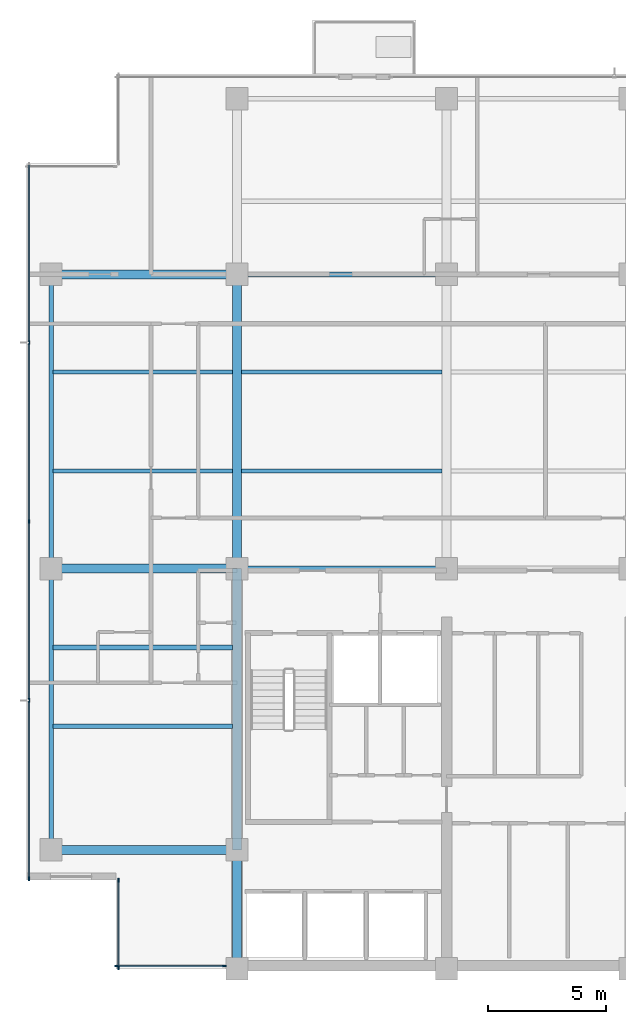
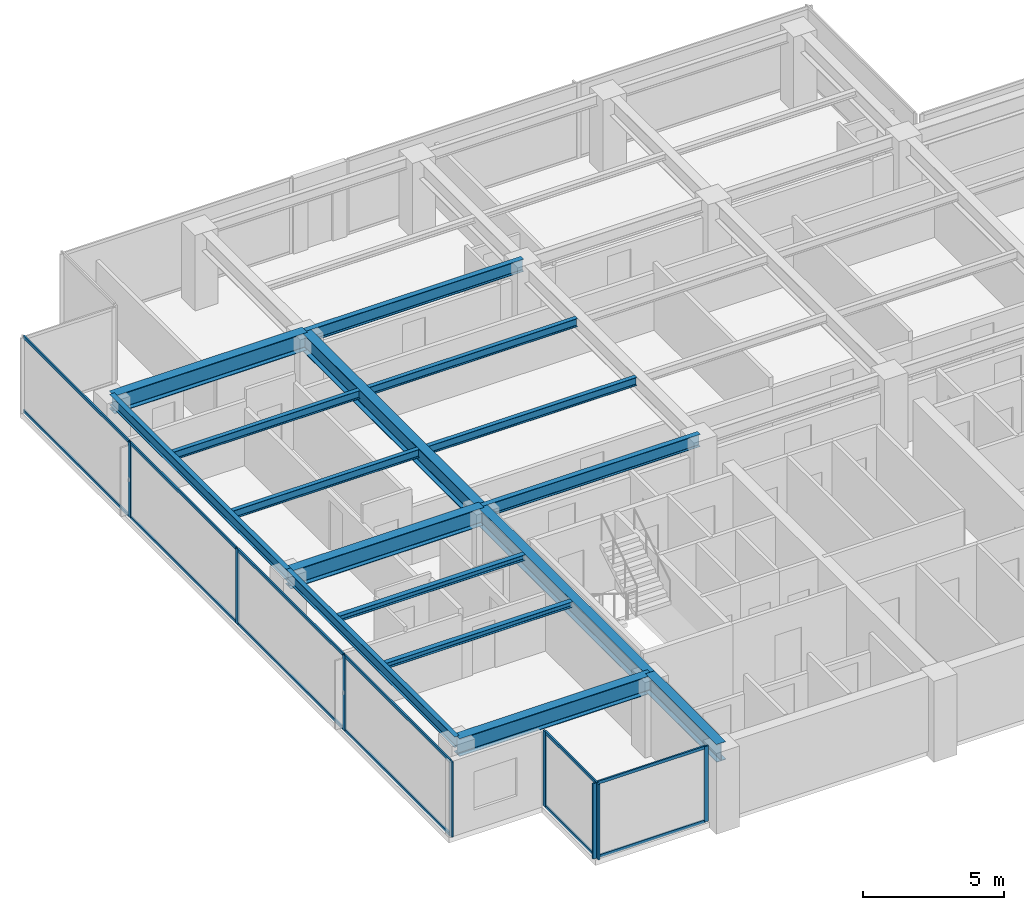
# One storey, part 2 of 14: 20 members, 16 beams, 3 elements without a shape of their own.
"""IFC4 building model written with IfcOpenShell, lengths in metres."""

from ifc_helpers import new_model, si_unit, direction, frame, origin, origin_2d, place, context, subcontext, project, spatial, rectangle, i_section, extrude, material, layer, layer_set, material_profile, profile_set, type_object, element, aggregate, save


model = new_model("IFC4")

# Units and contexts
model_context = context("Model", 3, precision=1e-05, world=origin(), true_north=direction((0.0, 1.0)))
body_context = subcontext(model_context, "Body", "Model", "MODEL_VIEW")
ifc_project = project(units=[si_unit("LENGTHUNIT", "METRE"), si_unit("AREAUNIT", "SQUARE_METRE"), si_unit("VOLUMEUNIT", "CUBIC_METRE"), si_unit("PLANEANGLEUNIT", "RADIAN"), si_unit("MASSUNIT", "GRAM", prefix="KILO")], contexts=[model_context])

# Site, building, storey
site_placement = place(None, origin())
site = spatial("IfcSite", under=ifc_project, at=site_placement, CompositionType="ELEMENT")
building_placement = place(site_placement, origin())
building = spatial("IfcBuilding", under=site, at=building_placement, Name="Qalmaran Belvedere Hotel", CompositionType="ELEMENT")
storey_placement = place(building_placement, frame((0.0, 0.0, 224.89990234375)))
storey = spatial("IfcBuildingStorey", under=building, at=storey_placement, Name="L57", CompositionType="ELEMENT", Elevation=224.89990234375)

# Beams
ifc_material_1 = material(Name="Steel S355JR", Category="steel")
ifc_material_profile_1 = material_profile(ifc_material_1, i_section(OverallWidth=0.201904296875, OverallDepth=0.2470703125, WebThickness=0.00732421875, FlangeThickness=0.010986328125, FilletRadius=0.011962890625, at=origin_2d()), Name="W250X49")
ifc_profile_set_1 = profile_set([ifc_material_profile_1], Name="Steel S355JR")
beam_type_1 = type_object("IfcBeamType", Name="BM-JST-W250X49", PredefinedType="JOIST", material=ifc_profile_set_1)
for number, where, z_axis, x_axis, name in (
    (1, (12.493896484375, 13.800048828125, 3.13671875), (1.0, 0.0, 0.0), (0.0, 1.0, 0.0), "L57 West Wing Joist 038"),
    (2, (12.493896484375, 17.14990234375, 3.13671875), (1.0, 0.0, 0.0), (0.0, 1.0, 0.0), "L57 West Wing Joist 040"),
):
    element("IfcBeam", number, at=place(storey_placement, frame(where, z_axis=z_axis, x_axis=x_axis)), inside=storey, type_object=beam_type_1, Name=name, PredefinedType="JOIST", context=body_context, shape_type="SweptSolid", body=[
        extrude(i_section(OverallWidth=0.201904296875, OverallDepth=0.2470703125, WebThickness=0.00732421875, FlangeThickness=0.010986328125, FilletRadius=0.011962890625, at=origin_2d()), origin(), (0.0, 0.0, 1.0), 7.61767578125),
    ])
ifc_material_profile_2 = material_profile(ifc_material_1, i_section(OverallWidth=0.381103515625, OverallDepth=0.77294921875, WebThickness=0.0166015625, FlangeThickness=0.027099609375, FilletRadius=0.02197265625, at=origin_2d()), Name="W760X257")
ifc_profile_set_2 = profile_set([ifc_material_profile_2], Name="Steel S355JR")
beam_type_2 = type_object("IfcBeamType", Name="BM-PG4-W760X257", PredefinedType="USERDEFINED", material=ifc_profile_set_2)
beam_1_placement = place(storey_placement, frame((20.300048828125, 20.5, 2.87353515625), z_axis=(0.0, 1.0, 0.0), x_axis=(-1.0, 0.0, 0.0)))
element("IfcBeam", 3, at=beam_1_placement, inside=storey, type_object=beam_type_2, Name="L57 Mid-Plate N-S Girder 14", ObjectType="GIRDER", PredefinedType="USERDEFINED", context=body_context, shape_type="SweptSolid", body=[
    extrude(i_section(OverallWidth=0.381103515625, OverallDepth=0.77294921875, WebThickness=0.0166015625, FlangeThickness=0.027099609375, FilletRadius=0.02197265625, at=origin_2d()), origin(), (0.0, 0.0, 1.0), 12.5),
])
for number, where, z_axis, x_axis, name in (
    (4, (12.39990234375, 8.550048828125, 2.87353515625), (1.0, 0.0, 0.0), (0.0, 1.0, 0.0), "L57 West Wing Girder 22"),
    (5, (12.39990234375, 20.5, 2.87353515625), (1.0, 0.0, 0.0), (0.0, 1.0, 0.0), "L57 West Wing Girder 23"),
    (6, (12.39990234375, 33.0, 2.87353515625), (1.0, 0.0, 0.0), (0.0, 1.0, 0.0), "L57 West Wing Girder 24"),
):
    element("IfcBeam", number, at=place(storey_placement, frame(where, z_axis=z_axis, x_axis=x_axis)), inside=storey, type_object=beam_type_2, Name=name, ObjectType="GIRDER", PredefinedType="USERDEFINED", context=body_context, shape_type="SweptSolid", body=[
        extrude(i_section(OverallWidth=0.381103515625, OverallDepth=0.77294921875, WebThickness=0.0166015625, FlangeThickness=0.027099609375, FilletRadius=0.02197265625, at=origin_2d()), origin(), (0.0, 0.0, 1.0), 7.900146484375),
    ])
beam_2_placement = place(storey_placement, frame((20.300048828125, 3.5, 2.87353515625), z_axis=(0.0, 1.0, 0.0), x_axis=(-1.0, 0.0, 0.0)))
element("IfcBeam", 7, at=beam_2_placement, inside=storey, type_object=beam_type_2, Name="L57 West Core Edge Girder A", ObjectType="GIRDER", PredefinedType="USERDEFINED", context=body_context, shape_type="SweptSolid", body=[
    extrude(i_section(OverallWidth=0.381103515625, OverallDepth=0.77294921875, WebThickness=0.0166015625, FlangeThickness=0.027099609375, FilletRadius=0.02197265625, at=origin_2d()), origin(), (0.0, 0.0, 1.0), 5.050048828125),
])
beam_3_placement = place(storey_placement, frame((20.300048828125, 8.550048828125, 2.87353515625), z_axis=(0.0, 1.0, 0.0), x_axis=(-1.0, 0.0, 0.0)))
element("IfcBeam", 8, at=beam_3_placement, inside=storey, type_object=beam_type_2, Name="L57 West Core Edge Girder B", ObjectType="GIRDER", PredefinedType="USERDEFINED", context=body_context, shape_type="SweptSolid", body=[
    extrude(i_section(OverallWidth=0.381103515625, OverallDepth=0.77294921875, WebThickness=0.0166015625, FlangeThickness=0.027099609375, FilletRadius=0.02197265625, at=origin_2d()), origin(), (0.0, 0.0, 1.0), 11.949951171875),
])
ifc_material_profile_3 = material_profile(ifc_material_1, i_section(OverallWidth=0.172119140625, OverallDepth=0.35791015625, WebThickness=0.0078125, FlangeThickness=0.01318359375, FilletRadius=0.014892578125, at=origin_2d()), Name="W360X57")
ifc_profile_set_3 = profile_set([ifc_material_profile_3], Name="Steel S355JR")
beam_type_3 = type_object("IfcBeamType", Name="BM-SB4-W360X57", PredefinedType="BEAM", material=ifc_profile_set_3)
beam_4_placement = place(storey_placement, frame((12.493896484375, 24.64990234375, 3.0810546875), z_axis=(1.0, 0.0, 0.0), x_axis=(0.0, 1.0, 0.0)))
element("IfcBeam", 9, at=beam_4_placement, inside=storey, type_object=beam_type_3, Name="L57 West Secondary Beam 028", PredefinedType="BEAM", context=body_context, shape_type="SweptSolid", body=[
    extrude(i_section(OverallWidth=0.172119140625, OverallDepth=0.35791015625, WebThickness=0.0078125, FlangeThickness=0.01318359375, FilletRadius=0.014892578125, at=origin_2d()), origin(), (0.0, 0.0, 1.0), 7.61767578125),
])
beam_5_placement = place(storey_placement, frame((20.488525390625, 24.64990234375, 3.0810546875), z_axis=(1.0, 0.0, 0.0), x_axis=(0.0, 1.0, 0.0)))
element("IfcBeam", 10, at=beam_5_placement, inside=storey, type_object=beam_type_3, Name="L57 Secondary Floor Beam 029", PredefinedType="BEAM", context=body_context, shape_type="SweptSolid", body=[
    extrude(i_section(OverallWidth=0.172119140625, OverallDepth=0.35791015625, WebThickness=0.0078125, FlangeThickness=0.01318359375, FilletRadius=0.014892578125, at=origin_2d()), origin(), (0.0, 0.0, 1.0), 8.52294921875),
])
beam_6_placement = place(storey_placement, frame((12.493896484375, 28.85009765625, 3.0810546875), z_axis=(1.0, 0.0, 0.0), x_axis=(0.0, 1.0, 0.0)))
element("IfcBeam", 11, at=beam_6_placement, inside=storey, type_object=beam_type_3, Name="L57 West Secondary Beam 033", PredefinedType="BEAM", context=body_context, shape_type="SweptSolid", body=[
    extrude(i_section(OverallWidth=0.172119140625, OverallDepth=0.35791015625, WebThickness=0.0078125, FlangeThickness=0.01318359375, FilletRadius=0.014892578125, at=origin_2d()), origin(), (0.0, 0.0, 1.0), 7.61767578125),
])
beam_7_placement = place(storey_placement, frame((20.488525390625, 28.85009765625, 3.0810546875), z_axis=(1.0, 0.0, 0.0), x_axis=(0.0, 1.0, 0.0)))
element("IfcBeam", 12, at=beam_7_placement, inside=storey, type_object=beam_type_3, Name="L57 Secondary Floor Beam 034", PredefinedType="BEAM", context=body_context, shape_type="SweptSolid", body=[
    extrude(i_section(OverallWidth=0.172119140625, OverallDepth=0.35791015625, WebThickness=0.0078125, FlangeThickness=0.01318359375, FilletRadius=0.014892578125, at=origin_2d()), origin(), (0.0, 0.0, 1.0), 8.52294921875),
])
ifc_material_profile_4 = material_profile(ifc_material_1, i_section(OverallWidth=0.19189453125, OverallDepth=0.462890625, WebThickness=0.010498046875, FlangeThickness=0.017578125, FilletRadius=0.01611328125, at=origin_2d()), Name="W460X89")
ifc_profile_set_4 = profile_set([ifc_material_profile_4], Name="Steel S355JR")
beam_type_4 = type_object("IfcBeamType", Name="BM-SP2-W460X89", PredefinedType="SPANDREL", material=ifc_profile_set_4)
beam_8_placement = place(storey_placement, frame((12.39990234375, 8.550048828125, 3.028564453125), z_axis=(0.0, 1.0, 0.0), x_axis=(-1.0, 0.0, 0.0)))
element("IfcBeam", 13, at=beam_8_placement, inside=storey, type_object=beam_type_4, Name="L57 Perimeter Spandrel 01", PredefinedType="SPANDREL", context=body_context, shape_type="SweptSolid", body=[
    extrude(i_section(OverallWidth=0.19189453125, OverallDepth=0.462890625, WebThickness=0.010498046875, FlangeThickness=0.017578125, FilletRadius=0.01611328125, at=origin_2d()), origin(), (0.0, 0.0, 1.0), 11.949951171875),
])
beam_9_placement = place(storey_placement, frame((12.39990234375, 20.5, 3.028564453125), z_axis=(0.0, 1.0, 0.0), x_axis=(-1.0, 0.0, 0.0)))
element("IfcBeam", 14, at=beam_9_placement, inside=storey, type_object=beam_type_4, Name="L57 Perimeter Spandrel 02", PredefinedType="SPANDREL", context=body_context, shape_type="SweptSolid", body=[
    extrude(i_section(OverallWidth=0.19189453125, OverallDepth=0.462890625, WebThickness=0.010498046875, FlangeThickness=0.017578125, FilletRadius=0.01611328125, at=origin_2d()), origin(), (0.0, 0.0, 1.0), 12.5),
])
ifc_material_profile_5 = material_profile(ifc_material_1, i_section(OverallWidth=0.2109375, OverallDepth=0.5390625, WebThickness=0.01171875, FlangeThickness=0.018798828125, FilletRadius=0.01806640625, at=origin_2d()), Name="W530X109")
ifc_profile_set_5 = profile_set([ifc_material_profile_5], Name="Steel S355JR")
beam_type_5 = type_object("IfcBeamType", Name="BM-Z4-W530X109", PredefinedType="USERDEFINED", material=ifc_profile_set_5)
for number, where, z_axis, x_axis, name in (
    (15, (20.300048828125, 20.5, 2.990478515625), (1.0, 0.0, 0.0), (0.0, 1.0, 0.0), "L57 Interior E-W Girder 08"),
    (16, (20.300048828125, 33.0, 2.990478515625), (1.0, 0.0, 0.0), (0.0, 1.0, 0.0), "L57 Interior E-W Girder 11"),
):
    element("IfcBeam", number, at=place(storey_placement, frame(where, z_axis=z_axis, x_axis=x_axis)), inside=storey, type_object=beam_type_5, Name=name, ObjectType="GIRDER", PredefinedType="USERDEFINED", context=body_context, shape_type="SweptSolid", body=[
        extrude(i_section(OverallWidth=0.2109375, OverallDepth=0.5390625, WebThickness=0.01171875, FlangeThickness=0.018798828125, FilletRadius=0.01806640625, at=origin_2d()), origin(), (0.0, 0.0, 1.0), 8.89990234375),
    ])

# Curtain wall, members
ifc_material_2 = material(Name="Anodised Bronze Aluminium", Category="aluminium")
ifc_layer = layer(ifc_material_2, 0.18994140625, Name="Anodised Bronze Aluminium")
ifc_layer_set = layer_set([ifc_layer], Name="Anodised Bronze Aluminium")
curtain_wall_type = type_object("IfcCurtainWallType", Name="CW5-TOWER-UPPER", PredefinedType="NOTDEFINED", material=ifc_layer_set)
curtain_wall_1_placement = place(storey_placement, origin())
curtain_wall_1 = element("IfcCurtainWall", 17, at=curtain_wall_1_placement, inside=storey, type_object=curtain_wall_type, Name="L57 Curtain Wall CW5", PredefinedType="NOTDEFINED")
ifc_material_profile_6 = material_profile(ifc_material_2, rectangle(XDim=0.06494140625, YDim=0.1650390625, at=origin_2d()), Name="CWM65X165")
ifc_profile_set_6 = profile_set([ifc_material_profile_6], Name="Anodised Bronze Aluminium")
member_type_1 = type_object("IfcMemberType", Name="CWM-65X165", PredefinedType="MULLION", material=ifc_profile_set_6)
member_1_placement = place(storey_placement, frame((15.1826171875, 3.6201171875, 0.0), z_axis=(0.0, 0.0, 1.0), x_axis=(0.0, 1.0, 0.0)))
member_1 = element("IfcMember", 18, at=member_1_placement, type_object=member_type_1, Name="CW5 mullion 1", PredefinedType="MULLION", context=body_context, shape_type="SweptSolid", body=[
    extrude(rectangle(XDim=0.06494140625, YDim=0.1650390625, at=origin_2d()), origin(), (0.0, 0.0, 1.0), 3.260009765625),
])
member_2_placement = place(storey_placement, frame((19.75244140625, 3.6201171875, 0.0), z_axis=(0.0, 0.0, 1.0), x_axis=(0.0, 1.0, 0.0)))
member_2 = element("IfcMember", 19, at=member_2_placement, type_object=member_type_1, Name="CW5 mullion 2", PredefinedType="MULLION", context=body_context, shape_type="SweptSolid", body=[
    extrude(rectangle(XDim=0.06494140625, YDim=0.1650390625, at=origin_2d()), origin(), (0.0, 0.0, 1.0), 3.260009765625),
])

curtain_wall_2_placement = place(storey_placement, origin())
curtain_wall_2 = element("IfcCurtainWall", 20, at=curtain_wall_2_placement, inside=storey, type_object=curtain_wall_type, Name="L57 Curtain Wall CW5", PredefinedType="NOTDEFINED")
member_3_placement = place(storey_placement, frame((11.469970703125, 30.10009765625, 0.0), z_axis=(0.0, 0.0, 1.0), x_axis=(1.0, 0.0, 0.0)))
member_3 = element("IfcMember", 21, at=member_3_placement, type_object=member_type_1, Name="CW5 mullion 2", PredefinedType="MULLION", context=body_context, shape_type="SweptSolid", body=[
    extrude(rectangle(XDim=0.06494140625, YDim=0.1650390625, at=origin_2d()), origin(), (0.0, 0.0, 1.0), 3.260009765625),
])
member_4_placement = place(storey_placement, frame((11.469970703125, 22.5, 0.0), z_axis=(0.0, 0.0, 1.0), x_axis=(1.0, 0.0, 0.0)))
member_4 = element("IfcMember", 22, at=member_4_placement, type_object=member_type_1, Name="CW5 mullion 3", PredefinedType="MULLION", context=body_context, shape_type="SweptSolid", body=[
    extrude(rectangle(XDim=0.06494140625, YDim=0.1650390625, at=origin_2d()), origin(), (0.0, 0.0, 1.0), 3.260009765625),
])
member_5_placement = place(storey_placement, frame((11.469970703125, 14.89990234375, 0.0), z_axis=(0.0, 0.0, 1.0), x_axis=(1.0, 0.0, 0.0)))
member_5 = element("IfcMember", 23, at=member_5_placement, type_object=member_type_1, Name="CW5 mullion 4", PredefinedType="MULLION", context=body_context, shape_type="SweptSolid", body=[
    extrude(rectangle(XDim=0.06494140625, YDim=0.1650390625, at=origin_2d()), origin(), (0.0, 0.0, 1.0), 3.260009765625),
])
member_6_placement = place(storey_placement, frame((11.469970703125, 7.33251953125, 0.0), z_axis=(0.0, 0.0, 1.0), x_axis=(1.0, 0.0, 0.0)))
member_6 = element("IfcMember", 24, at=member_6_placement, type_object=member_type_1, Name="CW5 mullion 5", PredefinedType="MULLION", context=body_context, shape_type="SweptSolid", body=[
    extrude(rectangle(XDim=0.06494140625, YDim=0.1650390625, at=origin_2d()), origin(), (0.0, 0.0, 1.0), 3.260009765625),
])

curtain_wall_3_placement = place(storey_placement, origin())
curtain_wall_3 = element("IfcCurtainWall", 25, at=curtain_wall_3_placement, inside=storey, type_object=curtain_wall_type, Name="L57 Curtain Wall CW5", PredefinedType="NOTDEFINED")
member_7_placement = place(storey_placement, frame((15.27001953125, 7.267578125, 0.0), z_axis=(0.0, 0.0, 1.0), x_axis=(1.0, 0.0, 0.0)))
member_7 = element("IfcMember", 26, at=member_7_placement, type_object=member_type_1, Name="CW5 mullion 1", PredefinedType="MULLION", context=body_context, shape_type="SweptSolid", body=[
    extrude(rectangle(XDim=0.06494140625, YDim=0.1650390625, at=origin_2d()), origin(), (0.0, 0.0, 1.0), 3.260009765625),
])
member_8_placement = place(storey_placement, frame((15.27001953125, 3.532470703125, 0.0), z_axis=(0.0, 0.0, 1.0), x_axis=(1.0, 0.0, 0.0)))
member_8 = element("IfcMember", 27, at=member_8_placement, type_object=member_type_1, Name="CW5 mullion 2", PredefinedType="MULLION", context=body_context, shape_type="SweptSolid", body=[
    extrude(rectangle(XDim=0.06494140625, YDim=0.1650390625, at=origin_2d()), origin(), (0.0, 0.0, 1.0), 3.260009765625),
])

# Member
ifc_material_profile_7 = material_profile(ifc_material_2, rectangle(XDim=0.06494140625, YDim=0.1298828125, at=origin_2d()), Name="CWT65X130")
ifc_profile_set_7 = profile_set([ifc_material_profile_7], Name="Anodised Bronze Aluminium")
member_type_2 = type_object("IfcMemberType", Name="CWT-65X130", PredefinedType="USERDEFINED", material=ifc_profile_set_7)
member_9_placement = place(storey_placement, frame((15.215087890625, 3.6201171875, 0.03271484375), z_axis=(1.0, 0.0, 0.0), x_axis=(0.0, 1.0, 0.0)))
member_9 = element("IfcMember", 28, at=member_9_placement, type_object=member_type_2, Name="CW5 transom 1.1", ObjectType="TRANSOM", PredefinedType="USERDEFINED", context=body_context, shape_type="SweptSolid", body=[
    extrude(rectangle(XDim=0.06494140625, YDim=0.1298828125, at=origin_2d()), origin(), (0.0, 0.0, 1.0), 4.5048828125),
])

member_10_placement = place(storey_placement, frame((15.215087890625, 3.6201171875, 3.2275390625), z_axis=(1.0, 0.0, 0.0), x_axis=(0.0, 1.0, 0.0)))
member_10 = element("IfcMember", 29, at=member_10_placement, type_object=member_type_2, Name="CW5 transom 1.2", ObjectType="TRANSOM", PredefinedType="USERDEFINED", context=body_context, shape_type="SweptSolid", body=[
    extrude(rectangle(XDim=0.06494140625, YDim=0.1298828125, at=origin_2d()), origin(), (0.0, 0.0, 1.0), 4.5048828125),
])

aggregate(curtain_wall_1, [member_1, member_2, member_9, member_10])

member_11_placement = place(storey_placement, frame((11.469970703125, 37.635009765625, 0.03271484375), z_axis=(0.0, -1.0, 0.0), x_axis=(1.0, 0.0, 0.0)))
member_11 = element("IfcMember", 30, at=member_11_placement, type_object=member_type_2, Name="CW5 transom 1.1", ObjectType="TRANSOM", PredefinedType="USERDEFINED", context=body_context, shape_type="SweptSolid", body=[
    extrude(rectangle(XDim=0.06494140625, YDim=0.1298828125, at=origin_2d()), origin(), (0.0, 0.0, 1.0), 7.50244140625),
])

member_12_placement = place(storey_placement, frame((11.469970703125, 37.635009765625, 3.2275390625), z_axis=(0.0, -1.0, 0.0), x_axis=(1.0, 0.0, 0.0)))
member_12 = element("IfcMember", 31, at=member_12_placement, type_object=member_type_2, Name="CW5 transom 1.2", ObjectType="TRANSOM", PredefinedType="USERDEFINED", context=body_context, shape_type="SweptSolid", body=[
    extrude(rectangle(XDim=0.06494140625, YDim=0.1298828125, at=origin_2d()), origin(), (0.0, 0.0, 1.0), 7.50244140625),
])

member_13_placement = place(storey_placement, frame((11.469970703125, 30.0673828125, 0.03271484375), z_axis=(0.0, -1.0, 0.0), x_axis=(1.0, 0.0, 0.0)))
member_13 = element("IfcMember", 32, at=member_13_placement, type_object=member_type_2, Name="CW5 transom 2.1", ObjectType="TRANSOM", PredefinedType="USERDEFINED", context=body_context, shape_type="SweptSolid", body=[
    extrude(rectangle(XDim=0.06494140625, YDim=0.1298828125, at=origin_2d()), origin(), (0.0, 0.0, 1.0), 7.534912109375),
])

member_14_placement = place(storey_placement, frame((11.469970703125, 30.0673828125, 3.2275390625), z_axis=(0.0, -1.0, 0.0), x_axis=(1.0, 0.0, 0.0)))
member_14 = element("IfcMember", 33, at=member_14_placement, type_object=member_type_2, Name="CW5 transom 2.2", ObjectType="TRANSOM", PredefinedType="USERDEFINED", context=body_context, shape_type="SweptSolid", body=[
    extrude(rectangle(XDim=0.06494140625, YDim=0.1298828125, at=origin_2d()), origin(), (0.0, 0.0, 1.0), 7.534912109375),
])

member_15_placement = place(storey_placement, frame((11.469970703125, 22.467529296875, 0.03271484375), z_axis=(0.0, -1.0, 0.0), x_axis=(1.0, 0.0, 0.0)))
member_15 = element("IfcMember", 34, at=member_15_placement, type_object=member_type_2, Name="CW5 transom 3.1", ObjectType="TRANSOM", PredefinedType="USERDEFINED", context=body_context, shape_type="SweptSolid", body=[
    extrude(rectangle(XDim=0.06494140625, YDim=0.1298828125, at=origin_2d()), origin(), (0.0, 0.0, 1.0), 7.534912109375),
])

member_16_placement = place(storey_placement, frame((11.469970703125, 22.467529296875, 3.2275390625), z_axis=(0.0, -1.0, 0.0), x_axis=(1.0, 0.0, 0.0)))
member_16 = element("IfcMember", 35, at=member_16_placement, type_object=member_type_2, Name="CW5 transom 3.2", ObjectType="TRANSOM", PredefinedType="USERDEFINED", context=body_context, shape_type="SweptSolid", body=[
    extrude(rectangle(XDim=0.06494140625, YDim=0.1298828125, at=origin_2d()), origin(), (0.0, 0.0, 1.0), 7.534912109375),
])

member_17_placement = place(storey_placement, frame((11.469970703125, 14.867431640625, 0.03271484375), z_axis=(0.0, -1.0, 0.0), x_axis=(1.0, 0.0, 0.0)))
member_17 = element("IfcMember", 36, at=member_17_placement, type_object=member_type_2, Name="CW5 transom 4.1", ObjectType="TRANSOM", PredefinedType="USERDEFINED", context=body_context, shape_type="SweptSolid", body=[
    extrude(rectangle(XDim=0.06494140625, YDim=0.1298828125, at=origin_2d()), origin(), (0.0, 0.0, 1.0), 7.50244140625),
])

member_18_placement = place(storey_placement, frame((11.469970703125, 14.867431640625, 3.2275390625), z_axis=(0.0, -1.0, 0.0), x_axis=(1.0, 0.0, 0.0)))
member_18 = element("IfcMember", 37, at=member_18_placement, type_object=member_type_2, Name="CW5 transom 4.2", ObjectType="TRANSOM", PredefinedType="USERDEFINED", context=body_context, shape_type="SweptSolid", body=[
    extrude(rectangle(XDim=0.06494140625, YDim=0.1298828125, at=origin_2d()), origin(), (0.0, 0.0, 1.0), 7.50244140625),
])

aggregate(curtain_wall_2, [member_3, member_4, member_5, member_6, member_11, member_12, member_13, member_14, member_15, member_16, member_17, member_18])

member_19_placement = place(storey_placement, frame((15.27001953125, 7.235107421875, 0.03271484375), z_axis=(0.0, -1.0, 0.0), x_axis=(1.0, 0.0, 0.0)))
member_19 = element("IfcMember", 38, at=member_19_placement, type_object=member_type_2, Name="CW5 transom 1.1", ObjectType="TRANSOM", PredefinedType="USERDEFINED", context=body_context, shape_type="SweptSolid", body=[
    extrude(rectangle(XDim=0.06494140625, YDim=0.1298828125, at=origin_2d()), origin(), (0.0, 0.0, 1.0), 3.670166015625),
])

member_20_placement = place(storey_placement, frame((15.27001953125, 7.235107421875, 3.2275390625), z_axis=(0.0, -1.0, 0.0), x_axis=(1.0, 0.0, 0.0)))
member_20 = element("IfcMember", 39, at=member_20_placement, type_object=member_type_2, Name="CW5 transom 1.2", ObjectType="TRANSOM", PredefinedType="USERDEFINED", context=body_context, shape_type="SweptSolid", body=[
    extrude(rectangle(XDim=0.06494140625, YDim=0.1298828125, at=origin_2d()), origin(), (0.0, 0.0, 1.0), 3.670166015625),
])

aggregate(curtain_wall_3, [member_7, member_8, member_19, member_20])

save(model, "model.ifc")
